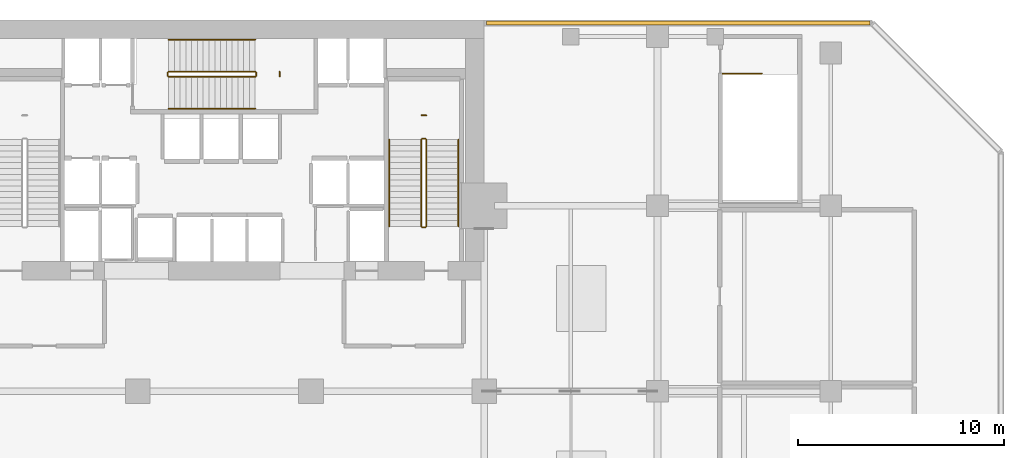
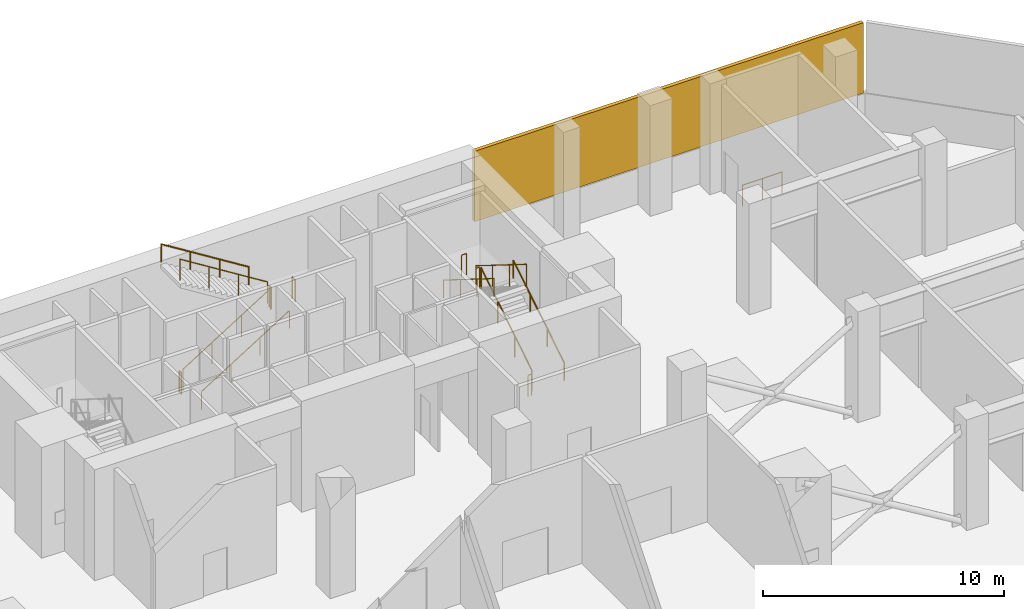
# One storey, part 14 of 15: 15 railings, 1 shading device.
"""IFC4 building model written with IfcOpenShell, lengths in metres."""

from ifc_helpers import new_model, si_unit, direction, frame, origin, origin_2d, place, context, subcontext, project, spatial, rectangle, circle, extrude, material, layer, layer_set, type_object, element, save


model = new_model("IFC4")

# Units and contexts
model_context = context("Model", 3, precision=1e-05, world=origin(), true_north=direction((0.0, 1.0)))
body_context = subcontext(model_context, "Body", "Model", "MODEL_VIEW")
ifc_project = project(units=[si_unit("LENGTHUNIT", "METRE"), si_unit("AREAUNIT", "SQUARE_METRE"), si_unit("VOLUMEUNIT", "CUBIC_METRE"), si_unit("PLANEANGLEUNIT", "RADIAN"), si_unit("MASSUNIT", "GRAM", prefix="KILO")], contexts=[model_context])

# Site, building, storey
site_placement = place(None, origin())
site = spatial("IfcSite", under=ifc_project, at=site_placement, CompositionType="ELEMENT")
building_placement = place(site_placement, origin())
building = spatial("IfcBuilding", under=site, at=building_placement, Name="Maruvema Waterfront Hotel and Observation Tower", CompositionType="ELEMENT")
storey_placement = place(building_placement, frame((0.0, 0.0, 21.35009765625)))
storey = spatial("IfcBuildingStorey", under=building, at=storey_placement, Name="L04", CompositionType="ELEMENT", Elevation=21.35009765625)

# Shading device
ifc_material_1 = material(Name="Anodised architectural bronze aluminium", Category="aluminium")
ifc_layer = layer(ifc_material_1, 0.14990234375, Name="Acoustic Weatherproof Plant Louvre Panel 150 mm")
ifc_layer_set = layer_set([ifc_layer], Name="Anodised architectural bronze aluminium")
shading_device_type = type_object("IfcShadingDeviceType", Name="Acoustic Weatherproof Plant Louvre Panel 150 mm", PredefinedType="JALOUSIE", material=ifc_layer_set)
shading_device_placement = place(storey_placement, frame((59.800048828125, 53.85009765625, 1.7998046875), z_axis=(0.0, 0.0, 1.0), x_axis=(-1.0, 0.0, 0.0)))
element("IfcShadingDevice", 1, at=shading_device_placement, inside=storey, type_object=shading_device_type, Name="L04 Plant Acoustic Weather Louvre NW2", PredefinedType="JALOUSIE", context=body_context, shape_type="SweptSolid", body=[
    extrude(rectangle(XDim=18.60009765625, YDim=0.179931640625, at=origin_2d()), origin(), (0.0, 0.0, 1.0), 3.56005859375),
])

# Railings
ifc_material_2 = material(Name="Brushed stainless steel Grade 316", Category="steel")
railing_type_1 = type_object("IfcRailingType", Name="Ramp Continuous Wall Handrail 920 mm", PredefinedType="HANDRAIL", material=ifc_material_2)
railing_1_placement = place(storey_placement, frame((35.10009765625, 49.699951171875, 0.1748046875)))
element("IfcRailing", 2, at=railing_1_placement, inside=storey, type_object=railing_type_1, Name="L04 ST-02 stair handrail 1", PredefinedType="HANDRAIL", context=body_context, shape_type="SweptSolid", body=[
    extrude(circle(Radius=0.02392578125, at=origin_2d()), frame((0.0, 0.0, 0.89599609375), z_axis=(0.847995534698, 0.0, 0.530003370869), x_axis=(0.0, 1.0, 0.0)), (0.0, 0.0, 1.0), 4.952880859375),
    extrude(circle(Radius=0.02099609375, at=origin_2d()), origin(), (0.0, 0.0, 1.0), 0.871826171875),
    extrude(circle(Radius=0.02099609375, at=origin_2d()), frame((1.39990234375, 0.0, 0.875)), (0.0, 0.0, 1.0), 0.871826171875),
    extrude(circle(Radius=0.02099609375, at=origin_2d()), frame((2.800048828125, 0.0, 1.75)), (0.0, 0.0, 1.0), 0.871826171875),
    extrude(circle(Radius=0.02099609375, at=origin_2d()), frame((4.199951171875, 0.0, 2.625)), (0.0, 0.0, 1.0), 0.871826171875),
])
railing_2_placement = place(storey_placement, frame((39.300048828125, 53.050048828125, 2.974853515625)))
element("IfcRailing", 3, at=railing_2_placement, inside=storey, type_object=railing_type_1, Name="L04 ST-02 stair handrail 2", PredefinedType="HANDRAIL", context=body_context, shape_type="SweptSolid", body=[
    extrude(circle(Radius=0.02392578125, at=origin_2d()), frame((0.0, 0.0, 0.89599609375), z_axis=(-0.847995534698, 0.0, 0.530003370869), x_axis=(0.0, -1.0, 0.0)), (0.0, 0.0, 1.0), 4.952880859375),
    extrude(circle(Radius=0.02099609375, at=origin_2d()), origin(), (0.0, 0.0, 1.0), 0.871826171875),
    extrude(circle(Radius=0.02099609375, at=origin_2d()), frame((-1.39990234375, 0.0, 0.875)), (0.0, 0.0, 1.0), 0.871826171875),
    extrude(circle(Radius=0.02099609375, at=origin_2d()), frame((-2.800048828125, 0.0, 1.75)), (0.0, 0.0, 1.0), 0.871826171875),
    extrude(circle(Radius=0.02099609375, at=origin_2d()), frame((-4.199951171875, 0.0, 2.625)), (0.0, 0.0, 1.0), 0.871826171875),
])
railing_3_placement = place(storey_placement, frame((49.14990234375, 44.0, 0.1748046875)))
element("IfcRailing", 4, at=railing_3_placement, inside=storey, type_object=railing_type_1, Name="L04 ST-03 stair handrail 1", PredefinedType="HANDRAIL", context=body_context, shape_type="SweptSolid", body=[
    extrude(circle(Radius=0.02392578125, at=origin_2d()), frame((0.0, 0.0, 0.89599609375), z_axis=(0.0, 0.847995534698, 0.530003370869), x_axis=(-1.0, 0.0, 0.0)), (0.0, 0.0, 1.0), 4.952880859375),
    extrude(circle(Radius=0.02099609375, at=origin_2d()), origin(), (0.0, 0.0, 1.0), 0.871826171875),
    extrude(circle(Radius=0.02099609375, at=origin_2d()), frame((0.0, 1.39990234375, 0.875)), (0.0, 0.0, 1.0), 0.871826171875),
    extrude(circle(Radius=0.02099609375, at=origin_2d()), frame((0.0, 2.800048828125, 1.75)), (0.0, 0.0, 1.0), 0.871826171875),
    extrude(circle(Radius=0.02099609375, at=origin_2d()), frame((0.0, 4.199951171875, 2.625)), (0.0, 0.0, 1.0), 0.871826171875),
])
railing_4_placement = place(storey_placement, frame((45.800048828125, 48.199951171875, 2.974853515625)))
element("IfcRailing", 5, at=railing_4_placement, inside=storey, type_object=railing_type_1, Name="L04 ST-03 stair handrail 2", PredefinedType="HANDRAIL", context=body_context, shape_type="SweptSolid", body=[
    extrude(circle(Radius=0.02392578125, at=origin_2d()), frame((0.0, 0.0, 0.89599609375), z_axis=(0.0, -0.847995534698, 0.530003370869), x_axis=(1.0, 0.0, 0.0)), (0.0, 0.0, 1.0), 4.952880859375),
    extrude(circle(Radius=0.02099609375, at=origin_2d()), origin(), (0.0, 0.0, 1.0), 0.871826171875),
    extrude(circle(Radius=0.02099609375, at=origin_2d()), frame((0.0, -1.39990234375, 0.875)), (0.0, 0.0, 1.0), 0.871826171875),
    extrude(circle(Radius=0.02099609375, at=origin_2d()), frame((0.0, -2.800048828125, 1.75)), (0.0, 0.0, 1.0), 0.871826171875),
    extrude(circle(Radius=0.02099609375, at=origin_2d()), frame((0.0, -4.199951171875, 2.625)), (0.0, 0.0, 1.0), 0.871826171875),
])
ifc_material_3 = material(Name="Brushed stainless steel Grade 316", Category="steel")
railing_type_2 = type_object("IfcRailingType", Name="Ramp and Terrace Guard Balustrade 1100 mm", PredefinedType="BALUSTRADE", material=ifc_material_3)
railing_5_placement = place(storey_placement, frame((35.10009765625, 51.25, 0.1748046875)))
element("IfcRailing", 6, at=railing_5_placement, inside=storey, type_object=railing_type_2, Name="L04 ST-02 stair guard 1", PredefinedType="BALUSTRADE", context=body_context, shape_type="SweptSolid", body=[
    extrude(circle(Radius=0.02392578125, at=origin_2d()), frame((0.0, 0.0, 1.076171875), z_axis=(0.847995534698, 0.0, 0.530003370869), x_axis=(0.0, 1.0, 0.0)), (0.0, 0.0, 1.0), 4.952880859375),
    extrude(circle(Radius=0.02099609375, at=origin_2d()), origin(), (0.0, 0.0, 1.0), 1.052001953125),
    extrude(circle(Radius=0.02099609375, at=origin_2d()), frame((1.39990234375, 0.0, 0.875)), (0.0, 0.0, 1.0), 1.052001953125),
    extrude(circle(Radius=0.02099609375, at=origin_2d()), frame((2.800048828125, 0.0, 1.75)), (0.0, 0.0, 1.0), 1.052001953125),
    extrude(circle(Radius=0.02099609375, at=origin_2d()), frame((4.199951171875, 0.0, 2.625)), (0.0, 0.0, 1.0), 1.052001953125),
])
railing_6_placement = place(storey_placement, frame((39.35009765625, 51.300048828125, 2.7998046875)))
element("IfcRailing", 7, at=railing_6_placement, inside=storey, type_object=railing_type_2, Name="L04 ST-02 stair guard 2", PredefinedType="BALUSTRADE", context=body_context, shape_type="SweptSolid", body=[
    extrude(circle(Radius=0.02392578125, at=origin_2d()), frame((0.0, 0.0, 1.076171875), z_axis=(0.0, 1.0, 0.0), x_axis=(-1.0, 0.0, 0.0)), (0.0, 0.0, 1.0), 0.14990234375),
    extrude(circle(Radius=0.02099609375, at=origin_2d()), origin(), (0.0, 0.0, 1.0), 1.052001953125),
    extrude(circle(Radius=0.02099609375, at=origin_2d()), frame((0.0, 0.14990234375, 0.0)), (0.0, 0.0, 1.0), 1.052001953125),
])
railing_7_placement = place(storey_placement, frame((39.300048828125, 51.5, 2.974853515625)))
element("IfcRailing", 8, at=railing_7_placement, inside=storey, type_object=railing_type_2, Name="L04 ST-02 stair guard 3", PredefinedType="BALUSTRADE", context=body_context, shape_type="SweptSolid", body=[
    extrude(circle(Radius=0.02392578125, at=origin_2d()), frame((0.0, 0.0, 1.076171875), z_axis=(-0.847995534698, 0.0, 0.530003370869), x_axis=(0.0, -1.0, 0.0)), (0.0, 0.0, 1.0), 4.952880859375),
    extrude(circle(Radius=0.02099609375, at=origin_2d()), origin(), (0.0, 0.0, 1.0), 1.052001953125),
    extrude(circle(Radius=0.02099609375, at=origin_2d()), frame((-1.39990234375, 0.0, 0.875)), (0.0, 0.0, 1.0), 1.052001953125),
    extrude(circle(Radius=0.02099609375, at=origin_2d()), frame((-2.800048828125, 0.0, 1.75)), (0.0, 0.0, 1.0), 1.052001953125),
    extrude(circle(Radius=0.02099609375, at=origin_2d()), frame((-4.199951171875, 0.0, 2.625)), (0.0, 0.0, 1.0), 1.052001953125),
])
railing_8_placement = place(storey_placement, frame((35.050048828125, 51.300048828125, 0.0)))
element("IfcRailing", 9, at=railing_8_placement, inside=storey, type_object=railing_type_2, Name="L04 ST-02 stair guard 4", PredefinedType="BALUSTRADE", context=body_context, shape_type="SweptSolid", body=[
    extrude(circle(Radius=0.02392578125, at=origin_2d()), frame((0.0, 0.0, 1.076171875), z_axis=(0.0, 1.0, 0.0), x_axis=(-1.0, 0.0, 0.0)), (0.0, 0.0, 1.0), 0.14990234375),
    extrude(circle(Radius=0.02099609375, at=origin_2d()), origin(), (0.0, 0.0, 1.0), 1.052001953125),
    extrude(circle(Radius=0.02099609375, at=origin_2d()), frame((0.0, 0.14990234375, 0.0)), (0.0, 0.0, 1.0), 1.052001953125),
])
railing_9_placement = place(storey_placement, frame((40.47998046875, 51.260009765625, 2.7998046875)))
element("IfcRailing", 10, at=railing_9_placement, inside=storey, type_object=railing_type_2, Name="L04 ST-02 Half-Landing Slot Guard", PredefinedType="BALUSTRADE", context=body_context, shape_type="SweptSolid", body=[
    extrude(circle(Radius=0.02392578125, at=origin_2d()), frame((0.0, 0.0, 1.076171875), z_axis=(0.0, 1.0, 0.0), x_axis=(-1.0, 0.0, 0.0)), (0.0, 0.0, 1.0), 0.22998046875),
    extrude(circle(Radius=0.02099609375, at=origin_2d()), origin(), (0.0, 0.0, 1.0), 1.052001953125),
    extrude(circle(Radius=0.02099609375, at=origin_2d()), frame((0.0, 0.22998046875, 0.0)), (0.0, 0.0, 1.0), 1.052001953125),
])
railing_10_placement = place(storey_placement, frame((47.60009765625, 44.0, 0.1748046875)))
element("IfcRailing", 11, at=railing_10_placement, inside=storey, type_object=railing_type_2, Name="L04 ST-03 stair guard 1", PredefinedType="BALUSTRADE", context=body_context, shape_type="SweptSolid", body=[
    extrude(circle(Radius=0.02392578125, at=origin_2d()), frame((0.0, 0.0, 1.076171875), z_axis=(0.0, 0.847995534698, 0.530003370869), x_axis=(-1.0, 0.0, 0.0)), (0.0, 0.0, 1.0), 4.952880859375),
    extrude(circle(Radius=0.02099609375, at=origin_2d()), origin(), (0.0, 0.0, 1.0), 1.052001953125),
    extrude(circle(Radius=0.02099609375, at=origin_2d()), frame((0.0, 1.39990234375, 0.875)), (0.0, 0.0, 1.0), 1.052001953125),
    extrude(circle(Radius=0.02099609375, at=origin_2d()), frame((0.0, 2.800048828125, 1.75)), (0.0, 0.0, 1.0), 1.052001953125),
    extrude(circle(Radius=0.02099609375, at=origin_2d()), frame((0.0, 4.199951171875, 2.625)), (0.0, 0.0, 1.0), 1.052001953125),
])
railing_11_placement = place(storey_placement, frame((47.550048828125, 48.25, 2.7998046875)))
element("IfcRailing", 12, at=railing_11_placement, inside=storey, type_object=railing_type_2, Name="L04 ST-03 stair guard 2", PredefinedType="BALUSTRADE", context=body_context, shape_type="SweptSolid", body=[
    extrude(circle(Radius=0.02392578125, at=origin_2d()), frame((0.0, 0.0, 1.076171875), z_axis=(-1.0, 0.0, 0.0), x_axis=(0.0, -1.0, 0.0)), (0.0, 0.0, 1.0), 0.150146484375),
    extrude(circle(Radius=0.02099609375, at=origin_2d()), origin(), (0.0, 0.0, 1.0), 1.052001953125),
    extrude(circle(Radius=0.02099609375, at=origin_2d()), frame((-0.150146484375, 0.0, 0.0)), (0.0, 0.0, 1.0), 1.052001953125),
])
railing_12_placement = place(storey_placement, frame((47.35009765625, 48.199951171875, 2.974853515625)))
element("IfcRailing", 13, at=railing_12_placement, inside=storey, type_object=railing_type_2, Name="L04 ST-03 stair guard 3", PredefinedType="BALUSTRADE", context=body_context, shape_type="SweptSolid", body=[
    extrude(circle(Radius=0.02392578125, at=origin_2d()), frame((0.0, 0.0, 1.076171875), z_axis=(0.0, -0.847995534698, 0.530003370869), x_axis=(1.0, 0.0, 0.0)), (0.0, 0.0, 1.0), 4.952880859375),
    extrude(circle(Radius=0.02099609375, at=origin_2d()), origin(), (0.0, 0.0, 1.0), 1.052001953125),
    extrude(circle(Radius=0.02099609375, at=origin_2d()), frame((0.0, -1.39990234375, 0.875)), (0.0, 0.0, 1.0), 1.052001953125),
    extrude(circle(Radius=0.02099609375, at=origin_2d()), frame((0.0, -2.800048828125, 1.75)), (0.0, 0.0, 1.0), 1.052001953125),
    extrude(circle(Radius=0.02099609375, at=origin_2d()), frame((0.0, -4.199951171875, 2.625)), (0.0, 0.0, 1.0), 1.052001953125),
])
railing_13_placement = place(storey_placement, frame((47.550048828125, 43.949951171875, 0.0)))
element("IfcRailing", 14, at=railing_13_placement, inside=storey, type_object=railing_type_2, Name="L04 ST-03 stair guard 4", PredefinedType="BALUSTRADE", context=body_context, shape_type="SweptSolid", body=[
    extrude(circle(Radius=0.02392578125, at=origin_2d()), frame((0.0, 0.0, 1.076171875), z_axis=(-1.0, 0.0, 0.0), x_axis=(0.0, -1.0, 0.0)), (0.0, 0.0, 1.0), 0.150146484375),
    extrude(circle(Radius=0.02099609375, at=origin_2d()), origin(), (0.0, 0.0, 1.0), 1.052001953125),
    extrude(circle(Radius=0.02099609375, at=origin_2d()), frame((-0.150146484375, 0.0, 0.0)), (0.0, 0.0, 1.0), 1.052001953125),
])
railing_14_placement = place(storey_placement, frame((47.590087890625, 49.3798828125, 2.7998046875)))
element("IfcRailing", 15, at=railing_14_placement, inside=storey, type_object=railing_type_2, Name="L04 ST-03 Half-Landing Slot Guard", PredefinedType="BALUSTRADE", context=body_context, shape_type="SweptSolid", body=[
    extrude(circle(Radius=0.02392578125, at=origin_2d()), frame((0.0, 0.0, 1.076171875), z_axis=(-1.0, 0.0, 0.0), x_axis=(0.0, -1.0, 0.0)), (0.0, 0.0, 1.0), 0.22998046875),
    extrude(circle(Radius=0.02099609375, at=origin_2d()), origin(), (0.0, 0.0, 1.0), 1.052001953125),
    extrude(circle(Radius=0.02099609375, at=origin_2d()), frame((-0.22998046875, 0.0, 0.0)), (0.0, 0.0, 1.0), 1.052001953125),
])
railing_15_placement = place(storey_placement, frame((61.949951171875, 51.39990234375, 0.0)))
element("IfcRailing", 16, at=railing_15_placement, inside=storey, type_object=railing_type_2, Name="L04 ST-05 top well guard 1", PredefinedType="BALUSTRADE", context=body_context, shape_type="SweptSolid", body=[
    extrude(circle(Radius=0.02392578125, at=origin_2d()), frame((0.0, 0.0, 1.076171875), z_axis=(1.0, 0.0, 0.0), x_axis=(0.0, 1.0, 0.0)), (0.0, 0.0, 1.0), 1.900146484375),
    extrude(circle(Radius=0.02099609375, at=origin_2d()), origin(), (0.0, 0.0, 1.0), 1.052001953125),
    extrude(circle(Radius=0.02099609375, at=origin_2d()), frame((0.9501953125, 0.0, 0.0)), (0.0, 0.0, 1.0), 1.052001953125),
    extrude(circle(Radius=0.02099609375, at=origin_2d()), frame((1.900146484375, 0.0, 0.0)), (0.0, 0.0, 1.0), 1.052001953125),
])

save(model, "model.ifc")
